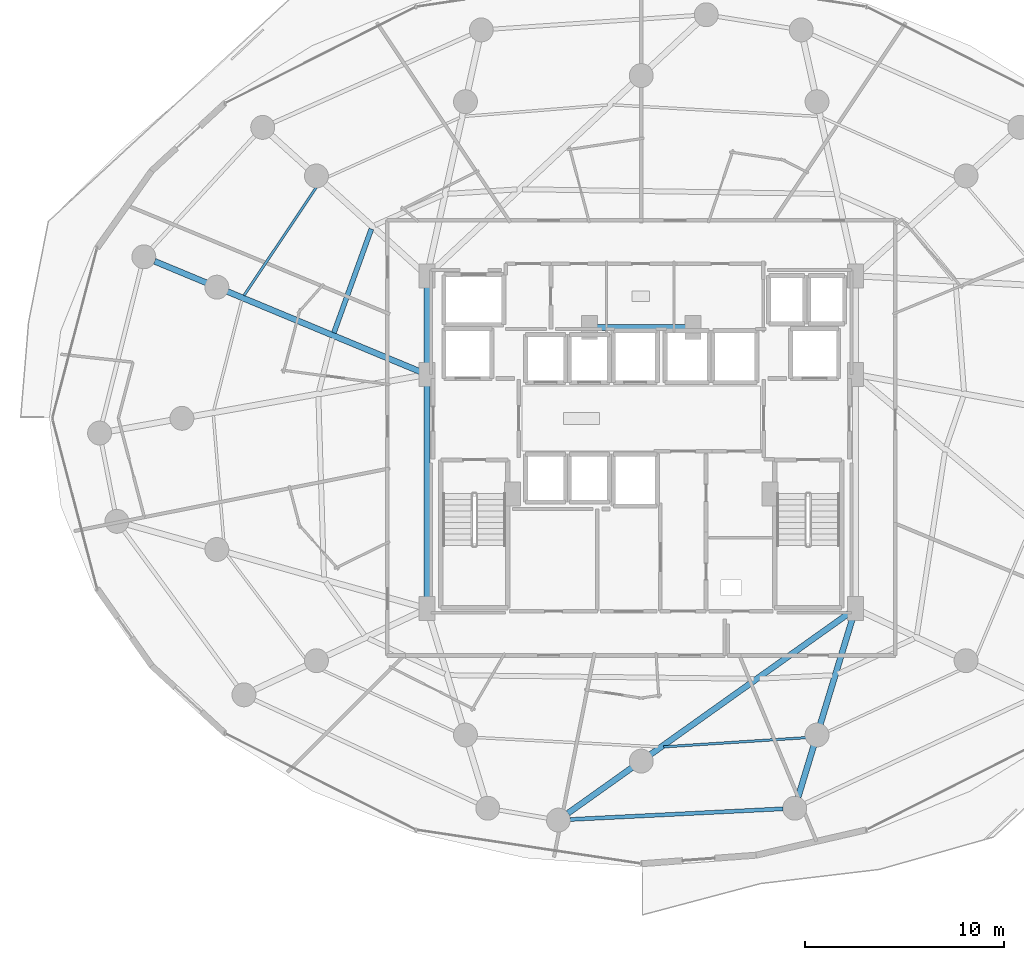
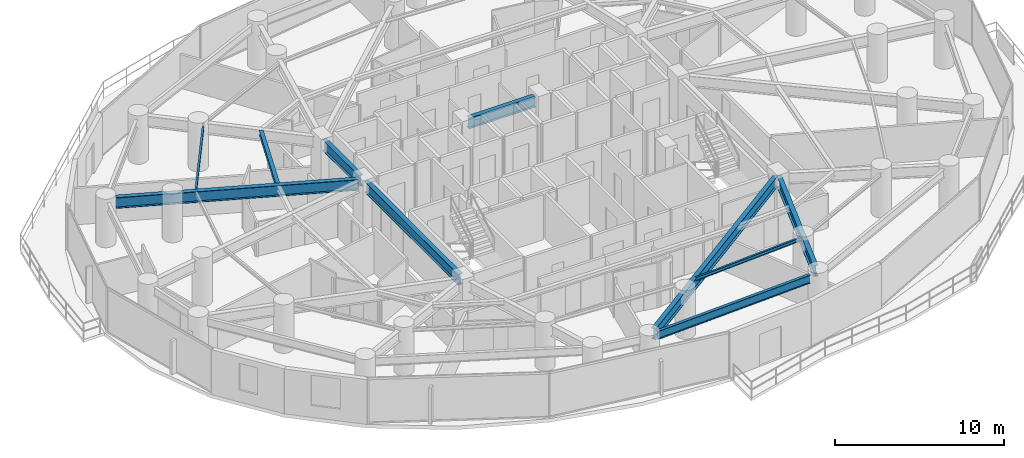
# One storey, part 11 of 35: 10 beams.
"""IFC4 building model written with IfcOpenShell, lengths in metres."""

from ifc_helpers import new_model, si_unit, direction, frame, origin, origin_2d, place, context, subcontext, project, spatial, i_section, extrude, material, material_profile, profile_set, type_object, element, save


model = new_model("IFC4")

# Units and contexts
model_context = context("Model", 3, precision=1e-05, world=origin(), true_north=direction((0.0, 1.0)))
body_context = subcontext(model_context, "Body", "Model", "MODEL_VIEW")
ifc_project = project(units=[si_unit("LENGTHUNIT", "METRE"), si_unit("AREAUNIT", "SQUARE_METRE"), si_unit("VOLUMEUNIT", "CUBIC_METRE"), si_unit("PLANEANGLEUNIT", "RADIAN"), si_unit("MASSUNIT", "GRAM", prefix="KILO")], contexts=[model_context])

# Site, building, storey
site_placement = place(None, origin())
site = spatial("IfcSite", under=ifc_project, at=site_placement, CompositionType="ELEMENT")
building_placement = place(site_placement, origin())
building = spatial("IfcBuilding", under=site, at=building_placement, Name="Vorneva Point Tower", CompositionType="ELEMENT")
storey_placement = place(building_placement, frame((0.0, 0.0, 52.0)))
storey = spatial("IfcBuildingStorey", under=building, at=storey_placement, Name="L13", CompositionType="ELEMENT", Elevation=52.0)

# Beams
ifc_material = material(Name="Steel S355", Category="steel")
ifc_material_profile_1 = material_profile(ifc_material, i_section(OverallWidth=0.300048828125, OverallDepth=0.7880859375, WebThickness=0.014404296875, FlangeThickness=0.02197265625, at=origin_2d()), Name="80Sh1")
ifc_profile_set_1 = profile_set([ifc_material_profile_1], Name="Steel S355")
beam_type_1 = type_object("IfcBeamType", Name="BM-GRD-80Sh1", PredefinedType="USERDEFINED", material=ifc_profile_set_1)
beam_1_placement = place(storey_placement, frame((13.58203125, 33.8798828125, 2.845947265625), z_axis=(0.923441131162, -0.383740116847, 0.0), x_axis=(0.383740116847, 0.923441131162, 0.0)))
element("IfcBeam", 1, at=beam_1_placement, inside=storey, type_object=beam_type_1, Name="L13 Radial Primary Girder 08", ObjectType="GIRDER", PredefinedType="USERDEFINED", context=body_context, shape_type="SweptSolid", body=[
    extrude(i_section(OverallWidth=0.300048828125, OverallDepth=0.7880859375, WebThickness=0.014404296875, FlangeThickness=0.02197265625, at=origin_2d()), origin(), (0.0, 0.0, 1.0), 14.461181640625),
])
beam_2_placement = place(storey_placement, frame((34.319580078125, 6.180908203125, 2.845947265625), z_axis=(0.814753048612, 0.579808131865, 0.0), x_axis=(-0.579808131865, 0.814753048612, 0.0)))
element("IfcBeam", 2, at=beam_2_placement, inside=storey, type_object=beam_type_1, Name="L13 Radial Primary Girder 13", ObjectType="GIRDER", PredefinedType="USERDEFINED", context=body_context, shape_type="SweptSolid", body=[
    extrude(i_section(OverallWidth=0.300048828125, OverallDepth=0.7880859375, WebThickness=0.014404296875, FlangeThickness=0.02197265625, at=origin_2d()), origin(), (0.0, 0.0, 1.0), 17.371337890625),
])
beam_3_placement = place(storey_placement, frame((45.874267578125, 6.997802734375, 2.845947265625), z_axis=(0.29105061459, 0.956707656365, 0.0), x_axis=(-0.956707656365, 0.29105061459, 0.0)))
element("IfcBeam", 3, at=beam_3_placement, inside=storey, type_object=beam_type_1, Name="L13 Radial Primary Girder 14", ObjectType="GIRDER", PredefinedType="USERDEFINED", context=body_context, shape_type="SweptSolid", body=[
    extrude(i_section(OverallWidth=0.300048828125, OverallDepth=0.7880859375, WebThickness=0.014404296875, FlangeThickness=0.02197265625, at=origin_2d()), origin(), (0.0, 0.0, 1.0), 9.5400390625),
])
beam_4_placement = place(storey_placement, frame((27.25, 16.77001953125, 2.845947265625), z_axis=(0.0, 1.0, 0.0), x_axis=(-1.0, 0.0, 0.0)))
element("IfcBeam", 4, at=beam_4_placement, inside=storey, type_object=beam_type_1, Name="L13 Core Tie Girder CT1", ObjectType="GIRDER", PredefinedType="USERDEFINED", context=body_context, shape_type="SweptSolid", body=[
    extrude(i_section(OverallWidth=0.300048828125, OverallDepth=0.7880859375, WebThickness=0.014404296875, FlangeThickness=0.02197265625, at=origin_2d()), origin(), (0.0, 0.0, 1.0), 11.10986328125),
])
beam_5_placement = place(storey_placement, frame((27.25, 28.52001953125, 2.845947265625), z_axis=(0.0, 1.0, 0.0), x_axis=(-1.0, 0.0, 0.0)))
element("IfcBeam", 5, at=beam_5_placement, inside=storey, type_object=beam_type_1, Name="L13 Core Tie Girder CT2", ObjectType="GIRDER", PredefinedType="USERDEFINED", context=body_context, shape_type="SweptSolid", body=[
    extrude(i_section(OverallWidth=0.300048828125, OverallDepth=0.7880859375, WebThickness=0.014404296875, FlangeThickness=0.02197265625, at=origin_2d()), origin(), (0.0, 0.0, 1.0), 4.31005859375),
])
beam_6_placement = place(storey_placement, frame((35.719970703125, 30.550048828125, 2.845947265625), z_axis=(1.0, 0.0, 0.0), x_axis=(0.0, 1.0, 0.0)))
element("IfcBeam", 6, at=beam_6_placement, inside=storey, type_object=beam_type_1, Name="L13 Core Tie Girder CT8", ObjectType="GIRDER", PredefinedType="USERDEFINED", context=body_context, shape_type="SweptSolid", body=[
    extrude(i_section(OverallWidth=0.300048828125, OverallDepth=0.7880859375, WebThickness=0.014404296875, FlangeThickness=0.02197265625, at=origin_2d()), origin(), (0.0, 0.0, 1.0), 4.56005859375),
])
ifc_material_profile_2 = material_profile(ifc_material, i_section(OverallWidth=0.1240234375, OverallDepth=0.248046875, WebThickness=0.0048828125, FlangeThickness=0.008056640625, at=origin_2d()), Name="25B1")
ifc_profile_set_2 = profile_set([ifc_material_profile_2], Name="Steel S355")
beam_type_2 = type_object("IfcBeamType", Name="BM-JST-25B1", PredefinedType="JOIST", material=ifc_profile_set_2)
beam_7_placement = place(storey_placement, frame((21.856689453125, 37.837890625, 3.115966796875), z_axis=(-0.555533726006, -0.83149400435, 0.0), x_axis=(0.83149400435, -0.555533726006, 0.0)))
element("IfcBeam", 7, at=beam_7_placement, inside=storey, type_object=beam_type_2, Name="L13 Secondary Floor Beam 1.07", PredefinedType="JOIST", context=body_context, shape_type="SweptSolid", body=[
    extrude(i_section(OverallWidth=0.1240234375, OverallDepth=0.248046875, WebThickness=0.0048828125, FlangeThickness=0.008056640625, at=origin_2d()), origin(), (0.0, 0.0, 1.0), 6.824462890625),
])
beam_8_placement = place(storey_placement, frame((39.1279296875, 9.513427734375, 3.115966796875), z_axis=(0.997909712216, 0.064623573603, 0.0), x_axis=(-0.064623573603, 0.997909712216, 0.0)))
element("IfcBeam", 8, at=beam_8_placement, inside=storey, type_object=beam_type_2, Name="L13 Secondary Floor Beam 1.13", PredefinedType="JOIST", context=body_context, shape_type="SweptSolid", body=[
    extrude(i_section(OverallWidth=0.1240234375, OverallDepth=0.248046875, WebThickness=0.0048828125, FlangeThickness=0.008056640625, at=origin_2d()), origin(), (0.0, 0.0, 1.0), 7.540771484375),
])
ifc_material_profile_3 = material_profile(ifc_material, i_section(OverallWidth=0.2490234375, OverallDepth=0.333984375, WebThickness=0.008056640625, FlangeThickness=0.010986328125, at=origin_2d()), Name="35Sh1")
ifc_profile_set_3 = profile_set([ifc_material_profile_3], Name="Steel S355")
beam_type_3 = type_object("IfcBeamType", Name="BM-SEC-35Sh1", PredefinedType="BEAM", material=ifc_profile_set_3)
beam_9_placement = place(storey_placement, frame((24.456298828125, 35.501220703125, 3.072998046875), z_axis=(-0.339459231388, -0.940620768549, 0.0), x_axis=(0.940620768549, -0.339459231388, 0.0)))
element("IfcBeam", 9, at=beam_9_placement, inside=storey, type_object=beam_type_3, Name="L13 Secondary Floor Beam 2.07", PredefinedType="BEAM", context=body_context, shape_type="SweptSolid", body=[
    extrude(i_section(OverallWidth=0.2490234375, OverallDepth=0.333984375, WebThickness=0.008056640625, FlangeThickness=0.010986328125, at=origin_2d()), origin(), (0.0, 0.0, 1.0), 5.53857421875),
])
ifc_material_profile_4 = material_profile(ifc_material, i_section(OverallWidth=0.198974609375, OverallDepth=0.595947265625, WebThickness=0.010009765625, FlangeThickness=0.014892578125, at=origin_2d()), Name="60B1")
ifc_profile_set_4 = profile_set([ifc_material_profile_4], Name="Steel S355")
beam_type_4 = type_object("IfcBeamType", Name="BM-SPN-60B1", PredefinedType="SPANDREL", material=ifc_profile_set_4)
beam_10_placement = place(storey_placement, frame((34.4248046875, 5.869140625, 2.94189453125), z_axis=(0.998742254413, 0.050138899561, 0.0), x_axis=(-0.050138899561, 0.998742254413, 0.0)))
element("IfcBeam", 10, at=beam_10_placement, inside=storey, type_object=beam_type_4, Name="L13 Perimeter Spandrel Ring Beam 13", PredefinedType="SPANDREL", context=body_context, shape_type="SweptSolid", body=[
    extrude(i_section(OverallWidth=0.198974609375, OverallDepth=0.595947265625, WebThickness=0.010009765625, FlangeThickness=0.014892578125, at=origin_2d()), origin(), (0.0, 0.0, 1.0), 10.70751953125),
])

save(model, "model.ifc")
